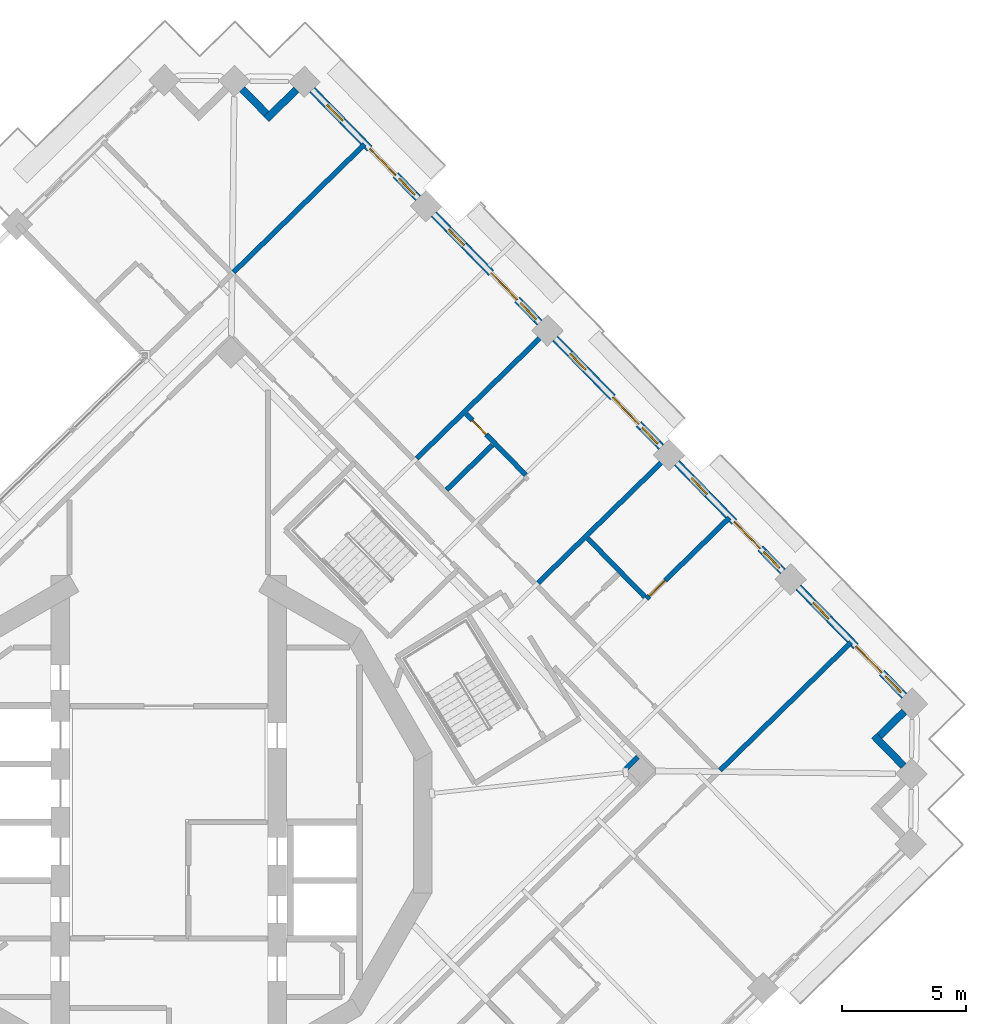
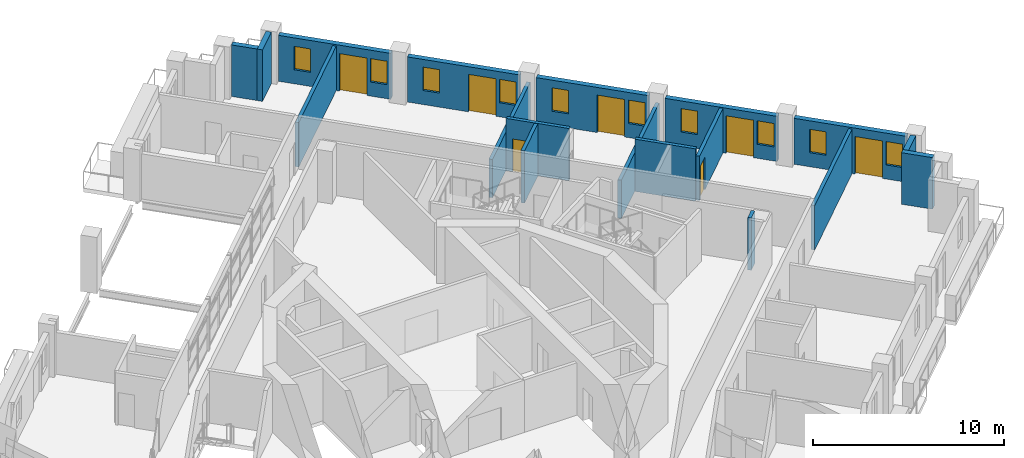
# One storey, part 11 of 19: 18 walls, 10 windows, 7 doors, 17 openings.
"""IFC4 building model written with IfcOpenShell, lengths in metres."""

import ifcopenshell
import ifcopenshell.guid

model = None  # the IFC model being written
_history = None  # IfcOwnerHistory: only IFC2X3 demands one
_inside = {}  # id of a spatial element -> (the spatial element, [elements in it])
_under = {}  # id of a project, library or spatial element -> (it, [spatial elements below it])
_declared = {}  # id of a project -> (the project, [libraries it declares])
_typed = {}  # id of a type object -> (the type object, [elements of that type])
_made_of = {}  # id of a material, layer set ... -> (it, [elements and type objects made of it])


def new_model(schema):
    """Start an empty IFC model of exactly this schema.

    Asked for "IFC4X3", IfcOpenShell would pick the latest addendum, in which some entities
    have other attributes; the version numbers below select the first issue.
    IFC2X3 requires an IfcOwnerHistory on every rooted entity: one is made here for all.
    """
    global model, _history
    if schema == "IFC4X3":
        model = ifcopenshell.file(schema_version=(4, 3, 0, 0))
    else:
        model = ifcopenshell.file(schema=schema)
    _inside.clear()
    _under.clear()
    _declared.clear()
    _typed.clear()
    _made_of.clear()
    _history = None
    if model.schema == "IFC2X3":
        org = make("IfcOrganization", Name="unknown")
        user = make(
            "IfcPersonAndOrganization",
            ThePerson=make("IfcPerson", FamilyName="unknown"),
            TheOrganization=org,
        )
        app = make(
            "IfcApplication",
            ApplicationDeveloper=org,
            Version="unknown",
            ApplicationFullName="unknown",
            ApplicationIdentifier="unknown",
        )
        _history = make(
            "IfcOwnerHistory",
            OwningUser=user,
            OwningApplication=app,
            ChangeAction="ADDED",
            CreationDate=0,
        )
    return model


def make(cls, **values):
    """One entity of the class cls with the attributes given. An attribute that is None is left unset."""
    return model.create_entity(
        cls, **{name: value for name, value in values.items() if value is not None}
    )


def rooted(cls, **values):
    """An entity with a GlobalId (a new one), such as an element, a storey or a relation."""
    return make(cls, GlobalId=ifcopenshell.guid.new(), OwnerHistory=_history, **values)


def si_unit(unit_type, name, prefix=None):
    """IfcSIUnit, for example si_unit("LENGTHUNIT", "METRE", prefix="MILLI")."""
    return make("IfcSIUnit", UnitType=unit_type, Prefix=prefix, Name=name)


def assignment(units):
    """IfcUnitAssignment: the units of a project."""
    return None if units is None else make("IfcUnitAssignment", Units=units)


def point(xyz):
    """IfcCartesianPoint."""
    return None if xyz is None else make("IfcCartesianPoint", Coordinates=xyz)


def direction(xyz):
    """IfcDirection."""
    return None if xyz is None else make("IfcDirection", DirectionRatios=xyz)


def frame(location, z_axis=None, x_axis=None):
    """IfcAxis2Placement3D, a coordinate frame: its origin and axes. An axis left out is left unset."""
    return make(
        "IfcAxis2Placement3D",
        Location=point(location),
        Axis=direction(z_axis),
        RefDirection=direction(x_axis),
    )


def frame_2d(location, x_axis=None):
    """IfcAxis2Placement2D, a coordinate frame in the plane: its origin and x axis."""
    return make(
        "IfcAxis2Placement2D", Location=point(location), RefDirection=direction(x_axis)
    )


def origin():
    """The frame at (0, 0, 0) with its axes left unset."""
    return frame((0.0, 0.0, 0.0))


def place(relative_to, where):
    """IfcLocalPlacement: puts the frame where relative to a parent placement (None: the world)."""
    return make(
        "IfcLocalPlacement", PlacementRelTo=relative_to, RelativePlacement=where
    )


def context(
    kind, dimensions, precision=None, world=None, true_north=None, identifier=None
):
    """IfcGeometricRepresentationContext, for example the 3D "Model" context."""
    return make(
        "IfcGeometricRepresentationContext",
        ContextIdentifier=identifier,
        ContextType=kind,
        CoordinateSpaceDimension=dimensions,
        Precision=precision,
        WorldCoordinateSystem=world,
        TrueNorth=true_north,
    )


def subcontext(parent, identifier, kind, view, scale=None):
    """IfcGeometricRepresentationSubContext, for example "Body" below "Model"."""
    return make(
        "IfcGeometricRepresentationSubContext",
        ContextIdentifier=identifier,
        ContextType=kind,
        ParentContext=parent,
        TargetScale=scale,
        TargetView=view,
    )


def project(units=None, contexts=None):
    """IfcProject with its units and contexts."""
    return rooted(
        "IfcProject",
        Name="project",
        RepresentationContexts=contexts,
        UnitsInContext=assignment(units),
    )


def spatial(cls, under=None, at=None, **own):
    """A site, building, storey or space (cls), placed at a placement, below another one or the project."""
    s = rooted(cls, ObjectPlacement=at, **own)
    if under is not None:
        _under.setdefault(under.id(), (under, []))[1].append(s)
    return s


def profile(cls, at=None, kind="AREA", **sizes):
    """A parametric profile (cls). Its sizes go by their IFC names, for example OverallWidth=200.0."""
    return make(cls, ProfileType=kind, Position=at, **sizes)


def rectangle(**sizes):
    """IfcRectangleProfileDef."""
    return profile("IfcRectangleProfileDef", **sizes)


def extrude(swept, where, along, depth):
    """IfcExtrudedAreaSolid: the profile swept, set in the frame where, extruded along a direction by depth."""
    return make(
        "IfcExtrudedAreaSolid",
        SweptArea=swept,
        Position=where,
        ExtrudedDirection=direction(along),
        Depth=depth,
    )


def shape(context_of_items, identifier, shape_type, items):
    """IfcShapeRepresentation: the items that make up one representation, for example the "Body"."""
    return make(
        "IfcShapeRepresentation",
        ContextOfItems=context_of_items,
        RepresentationIdentifier=identifier,
        RepresentationType=shape_type,
        Items=items,
    )


def material(Name=None, Category=None):
    """IfcMaterial."""
    return make("IfcMaterial", Name=Name, Category=Category)


def layer(
    of_material, thickness, ventilated=None, Name=None, Category=None, Priority=None
):
    """IfcMaterialLayer: one layer of a wall or slab, of a material (None: an air gap)."""
    return make(
        "IfcMaterialLayer",
        Material=of_material,
        LayerThickness=thickness,
        IsVentilated=ventilated,
        Name=Name,
        Category=Category,
        Priority=Priority,
    )


def layer_set(layers, Name=None):
    """IfcMaterialLayerSet."""
    return make("IfcMaterialLayerSet", MaterialLayers=layers, LayerSetName=Name)


def made_of(thing, what):
    """Note that an element or type object is made of a material, layer set ...; save() writes the relation."""
    if what is not None:
        _made_of.setdefault(what.id(), (what, []))[1].append(thing)
    return thing


def type_object(cls, material=None, **own):
    """A type object (cls), such as IfcWallType, which elements share."""
    return made_of(rooted(cls, **own), material)


def element(
    cls,
    number,
    at=None,
    inside=None,
    cuts=None,
    type_object=None,
    material=None,
    context=None,
    identifier="Body",
    shape_type=None,
    held_by="IfcProductDefinitionShape",
    body=None,
    shapes=None,
    **own,
):
    """One element of the class cls, such as IfcWall. Its Tag is "e" and its number.

    at: its placement. inside: the storey or other place that contains it. cuts: it is an
    opening in that element (IfcRelVoidsElement). A single representation is given by context,
    identifier, shape_type and body (its items); several are given by shapes. held_by: the class
    of the entity that holds the representations. save() writes the other relations.
    """
    e = rooted(cls, Tag="e%d" % number, ObjectPlacement=at, **own)
    if body is not None:
        shapes = [shape(context, identifier, shape_type, body)]
    if shapes is not None:
        e.Representation = make(held_by, Representations=shapes)
    if inside is not None:
        _inside.setdefault(inside.id(), (inside, []))[1].append(e)
    if cuts is not None:
        rooted(
            "IfcRelVoidsElement", RelatingBuildingElement=cuts, RelatedOpeningElement=e
        )
    if type_object is not None:
        _typed.setdefault(type_object.id(), (type_object, []))[1].append(e)
    return made_of(e, material)


def fill(opening, filler):
    """IfcRelFillsElement: the door or window that sits in an opening."""
    return rooted(
        "IfcRelFillsElement",
        RelatingOpeningElement=opening,
        RelatedBuildingElement=filler,
    )


def aggregate(whole, parts):
    """IfcRelAggregates: a whole, such as a stair, and the parts it consists of."""
    return rooted("IfcRelAggregates", RelatingObject=whole, RelatedObjects=parts)


def save(model, path):
    """Write the relations noted so far, then the file.

    IfcRelAggregates (storeys below a building ...), IfcRelContainedInSpatialStructure (elements
    in a storey), IfcRelDefinesByType, IfcRelAssociatesMaterial and IfcRelDeclares: one each for
    every whole, place, type object, material and project.
    """
    for whole, parts in _under.values():
        aggregate(whole, parts)
    for where, things in _inside.values():
        rooted(
            "IfcRelContainedInSpatialStructure",
            RelatedElements=things,
            RelatingStructure=where,
        )
    for kind, things in _typed.values():
        rooted("IfcRelDefinesByType", RelatedObjects=things, RelatingType=kind)
    for what, things in _made_of.values():
        rooted("IfcRelAssociatesMaterial", RelatedObjects=things, RelatingMaterial=what)
    for by, libraries in _declared.values():
        rooted("IfcRelDeclares", RelatingContext=by, RelatedDefinitions=libraries)
    model.write(path)


model = new_model("IFC4")

# Units and contexts
model_context = context("Model", 3, precision=1e-05, world=origin(), true_north=direction((0.0, 1.0)))
body_context = subcontext(model_context, "Body", "Model", "MODEL_VIEW")
ifc_project = project(units=[si_unit("LENGTHUNIT", "METRE"), si_unit("AREAUNIT", "SQUARE_METRE"), si_unit("VOLUMEUNIT", "CUBIC_METRE"), si_unit("PLANEANGLEUNIT", "RADIAN"), si_unit("MASSUNIT", "GRAM", prefix="KILO")], contexts=[model_context])

# Site, building, storey
site_placement = place(None, origin())
site = spatial("IfcSite", under=ifc_project, at=site_placement, CompositionType="ELEMENT")
building_placement = place(site_placement, origin())
building = spatial("IfcBuilding", under=site, at=building_placement, Name="Cantera Rosa Tower", CompositionType="ELEMENT")
storey_placement = place(building_placement, frame((0.0, 0.0, 223.39990234375)))
storey = spatial("IfcBuildingStorey", under=building, at=storey_placement, Name="L48", CompositionType="ELEMENT", Elevation=223.39990234375)

# Walls
ifc_material_1 = material(Name="Hollow clay masonry with cantera stone cladding", Category="masonry")
ifc_layer_1 = layer(ifc_material_1, 0.300048828125)
ifc_layer_set_1 = layer_set([ifc_layer_1], Name="EW-LOGGIA 300")
wall_type_1 = type_object("IfcWallType", Name="EW-LOGGIA 300", PredefinedType="SOLIDWALL", material=ifc_layer_set_1)
wall_1_placement = place(storey_placement, frame((5.15283203125, 29.56982421875, 0.0), z_axis=(0.0, 0.0, 1.0), x_axis=(-0.715316077832, -0.69880105094, 0.0)))
element("IfcWall", 1, at=wall_1_placement, inside=storey, type_object=wall_type_1, Name="EN-L48-W05a", PredefinedType="SOLIDWALL", context=body_context, shape_type="SweptSolid", body=[
    extrude(rectangle(XDim=1.699951171875, YDim=0.300048828125, at=frame_2d((0.85009765625, 0.0))), origin(), (0.0, 0.0, 1.0), 3.300048828125),
])
wall_2_placement = place(storey_placement, frame((3.939208984375, 28.593994140625, 0.0), z_axis=(0.0, 0.0, 1.0), x_axis=(-0.698861982187, 0.715256548278, 0.0)))
element("IfcWall", 2, at=wall_2_placement, inside=storey, type_object=wall_type_1, Name="EN-L48-W05b", PredefinedType="SOLIDWALL", context=body_context, shape_type="SweptSolid", body=[
    extrude(rectangle(XDim=1.39990234375, YDim=0.300048828125, at=frame_2d((0.699951171875, 0.0))), origin(), (0.0, 0.0, 1.0), 3.300048828125),
])
wall_3_placement = place(storey_placement, frame((29.65625, 2.271484375, 0.0), z_axis=(0.0, 0.0, 1.0), x_axis=(-0.698872839675, 0.715245939495, 0.0)))
element("IfcWall", 3, at=wall_3_placement, inside=storey, type_object=wall_type_1, Name="EN-L48-W27a", PredefinedType="SOLIDWALL", context=body_context, shape_type="SweptSolid", body=[
    extrude(rectangle(XDim=1.699951171875, YDim=0.300048828125, at=frame_2d((0.85009765625, 0.0))), origin(), (0.0, 0.0, 1.0), 3.300048828125),
])
wall_4_placement = place(storey_placement, frame((28.680419921875, 3.48486328125, 0.0), z_axis=(0.0, 0.0, 1.0), x_axis=(0.71516937164, 0.698951192766, 0.0)))
element("IfcWall", 4, at=wall_4_placement, inside=storey, type_object=wall_type_1, Name="EN-L48-W27b", PredefinedType="SOLIDWALL", context=body_context, shape_type="SweptSolid", body=[
    extrude(rectangle(XDim=1.39990234375, YDim=0.300048828125, at=frame_2d((0.699951171875, 0.0))), origin(), (0.0, 0.0, 1.0), 3.300048828125),
])

# Wall, openings, windows, door
ifc_material_2 = material(Name="Hollow clay masonry with cantera stone cladding", Category="masonry")
ifc_layer_2 = layer(ifc_material_2, 0.300048828125)
ifc_layer_set_2 = layer_set([ifc_layer_2], Name="EW-LOGGIA 300 H2890")
wall_type_2 = type_object("IfcWallType", Name="EW-LOGGIA 300 H2890", PredefinedType="SOLIDWALL", material=ifc_layer_set_2)
wall_5_placement = place(storey_placement, frame((24.783203125, 10.120849609375, 0.0), z_axis=(0.0, 0.0, 1.0), x_axis=(-0.698800768177, 0.715316354067, 0.0)))
wall_5 = element("IfcWall", 5, at=wall_5_placement, inside=storey, type_object=wall_type_2, Name="EN-L48-W01", PredefinedType="SOLIDWALL", context=body_context, shape_type="SweptSolid", body=[
    extrude(rectangle(XDim=6.119873046875, YDim=0.300048828125, at=frame_2d((3.06005859375, 0.0))), origin(), (0.0, 0.0, 1.0), 2.89013671875),
])
opening_1_placement = place(wall_5_placement, frame((0.199951171875, 0.0, 0.89990234375)))
opening_1 = element("IfcOpeningElement", 6, at=opening_1_placement, cuts=wall_5, Name="Opening L48-W01", PredefinedType="OPENING", context=body_context, shape_type="SweptSolid", body=[
    extrude(rectangle(XDim=0.89990234375, YDim=1.5, at=frame_2d((0.449951171875, 0.75))), frame((0.0, 0.159912109375, 0.0), z_axis=(0.0, -1.0, 0.0), x_axis=(1.0, 0.0, 0.0)), (0.0, 0.0, 1.0), 0.320068359375),
])
opening_2_placement = place(wall_5_placement, frame((1.300048828125, 0.0, 0.0)))
opening_2 = element("IfcOpeningElement", 7, at=opening_2_placement, cuts=wall_5, Name="Opening L48-TD02", PredefinedType="OPENING", context=body_context, shape_type="SweptSolid", body=[
    extrude(rectangle(XDim=1.5, YDim=2.39990234375, at=frame_2d((0.75, 1.199951171875))), frame((0.0, 0.159912109375, 0.0), z_axis=(0.0, -1.0, 0.0), x_axis=(1.0, 0.0, 0.0)), (0.0, 0.0, 1.0), 0.320068359375),
])
opening_3_placement = place(wall_5_placement, frame((4.364990234375, 0.0, 0.89990234375)))
opening_3 = element("IfcOpeningElement", 8, at=opening_3_placement, cuts=wall_5, Name="Opening L48-W03", PredefinedType="OPENING", context=body_context, shape_type="SweptSolid", body=[
    extrude(rectangle(XDim=0.89990234375, YDim=1.5, at=frame_2d((0.449951171875, 0.75))), frame((0.0, 0.159912109375, 0.0), z_axis=(0.0, -1.0, 0.0), x_axis=(1.0, 0.0, 0.0)), (0.0, 0.0, 1.0), 0.320068359375),
])
ifc_material_3 = material(Name="Aluminium frame with clear glass", Category="aluminium")
window_type = type_object("IfcWindowType", Name="Residential window 900x1500", PartitioningType="SINGLE_PANEL", PredefinedType="WINDOW", material=ifc_material_3)
window_1_placement = place(opening_1_placement, origin())
window_1 = element("IfcWindow", 9, at=window_1_placement, inside=storey, type_object=window_type, Name="WINDOW L48-W01", OverallHeight=1.5, OverallWidth=0.89990234375, PartitioningType="SINGLE_PANEL", PredefinedType="WINDOW", context=body_context, shape_type="SweptSolid", body=[
    extrude(rectangle(XDim=0.89990234375, YDim=1.5, at=frame_2d((0.449951171875, 0.75))), frame((0.0, 0.030029296875, 0.0), z_axis=(0.0, -1.0, 0.0), x_axis=(1.0, 0.0, 0.0)), (0.0, 0.0, 1.0), 0.06005859375),
])
fill(opening_1, window_1)
window_2_placement = place(opening_3_placement, origin())
window_2 = element("IfcWindow", 10, at=window_2_placement, inside=storey, type_object=window_type, Name="WINDOW L48-W03", OverallHeight=1.5, OverallWidth=0.89990234375, PartitioningType="SINGLE_PANEL", PredefinedType="WINDOW", context=body_context, shape_type="SweptSolid", body=[
    extrude(rectangle(XDim=0.89990234375, YDim=1.5, at=frame_2d((0.449951171875, 0.75))), frame((0.0, 0.030029296875, 0.0), z_axis=(0.0, -1.0, 0.0), x_axis=(1.0, 0.0, 0.0)), (0.0, 0.0, 1.0), 0.06005859375),
])
fill(opening_3, window_2)
ifc_material_4 = material(Name="Aluminium frame with clear glass", Category="aluminium")
door_type_1 = type_object("IfcDoorType", Name="TD-R 1500x2400", OperationType="NOTDEFINED", PredefinedType="DOOR", material=ifc_material_4)
door_1_placement = place(opening_2_placement, origin())
door_1 = element("IfcDoor", 11, at=door_1_placement, inside=storey, type_object=door_type_1, Name="LOGGIA DOOR L48-TD02", OperationType="SLIDING_TO_LEFT", OverallHeight=2.39990234375, OverallWidth=1.5, PredefinedType="DOOR", context=body_context, shape_type="SweptSolid", body=[
    extrude(rectangle(XDim=1.5, YDim=2.39990234375, at=frame_2d((0.75, 1.199951171875))), frame((0.0, 0.02490234375, 0.0), z_axis=(0.0, -1.0, 0.0), x_axis=(1.0, 0.0, 0.0)), (0.0, 0.0, 1.0), 0.050048828125),
])
fill(opening_2, door_1)

wall_6_placement = place(storey_placement, frame((19.87744140625, 15.142333984375, 0.0), z_axis=(0.0, 0.0, 1.0), x_axis=(-0.698841120217, 0.71527693147, 0.0)))
wall_6 = element("IfcWall", 12, at=wall_6_placement, inside=storey, type_object=wall_type_2, Name="EN-L48-W02", PredefinedType="SOLIDWALL", context=body_context, shape_type="SweptSolid", body=[
    extrude(rectangle(XDim=6.119873046875, YDim=0.300048828125, at=frame_2d((3.06005859375, 0.0))), origin(), (0.0, 0.0, 1.0), 2.89013671875),
])
opening_4_placement = place(wall_6_placement, frame((0.199951171875, 0.0, 0.89990234375)))
opening_4 = element("IfcOpeningElement", 13, at=opening_4_placement, cuts=wall_6, Name="Opening L48-W04", PredefinedType="OPENING", context=body_context, shape_type="SweptSolid", body=[
    extrude(rectangle(XDim=0.89990234375, YDim=1.5, at=frame_2d((0.449951171875, 0.75))), frame((0.0, 0.159912109375, 0.0), z_axis=(0.0, -1.0, 0.0), x_axis=(1.0, 0.0, 0.0)), (0.0, 0.0, 1.0), 0.320068359375),
])
opening_5_placement = place(wall_6_placement, frame((1.300048828125, 0.0, 0.0)))
opening_5 = element("IfcOpeningElement", 14, at=opening_5_placement, cuts=wall_6, Name="Opening L48-TD05", PredefinedType="OPENING", context=body_context, shape_type="SweptSolid", body=[
    extrude(rectangle(XDim=1.5, YDim=2.39990234375, at=frame_2d((0.75, 1.199951171875))), frame((0.0, 0.159912109375, 0.0), z_axis=(0.0, -1.0, 0.0), x_axis=(1.0, 0.0, 0.0)), (0.0, 0.0, 1.0), 0.320068359375),
])
opening_6_placement = place(wall_6_placement, frame((4.364990234375, 0.0, 0.89990234375)))
opening_6 = element("IfcOpeningElement", 15, at=opening_6_placement, cuts=wall_6, Name="Opening L48-W06", PredefinedType="OPENING", context=body_context, shape_type="SweptSolid", body=[
    extrude(rectangle(XDim=0.89990234375, YDim=1.5, at=frame_2d((0.449951171875, 0.75))), frame((0.0, 0.159912109375, 0.0), z_axis=(0.0, -1.0, 0.0), x_axis=(1.0, 0.0, 0.0)), (0.0, 0.0, 1.0), 0.320068359375),
])
window_3_placement = place(opening_4_placement, origin())
window_3 = element("IfcWindow", 16, at=window_3_placement, inside=storey, type_object=window_type, Name="WINDOW L48-W04", OverallHeight=1.5, OverallWidth=0.89990234375, PartitioningType="SINGLE_PANEL", PredefinedType="WINDOW", context=body_context, shape_type="SweptSolid", body=[
    extrude(rectangle(XDim=0.89990234375, YDim=1.5, at=frame_2d((0.449951171875, 0.75))), frame((0.0, 0.030029296875, 0.0), z_axis=(0.0, -1.0, 0.0), x_axis=(1.0, 0.0, 0.0)), (0.0, 0.0, 1.0), 0.06005859375),
])
fill(opening_4, window_3)
window_4_placement = place(opening_6_placement, origin())
window_4 = element("IfcWindow", 17, at=window_4_placement, inside=storey, type_object=window_type, Name="WINDOW L48-W06", OverallHeight=1.5, OverallWidth=0.89990234375, PartitioningType="SINGLE_PANEL", PredefinedType="WINDOW", context=body_context, shape_type="SweptSolid", body=[
    extrude(rectangle(XDim=0.89990234375, YDim=1.5, at=frame_2d((0.449951171875, 0.75))), frame((0.0, 0.030029296875, 0.0), z_axis=(0.0, -1.0, 0.0), x_axis=(1.0, 0.0, 0.0)), (0.0, 0.0, 1.0), 0.06005859375),
])
fill(opening_6, window_4)
door_2_placement = place(opening_5_placement, origin())
door_2 = element("IfcDoor", 18, at=door_2_placement, inside=storey, type_object=door_type_1, Name="LOGGIA DOOR L48-TD05", OperationType="SLIDING_TO_LEFT", OverallHeight=2.39990234375, OverallWidth=1.5, PredefinedType="DOOR", context=body_context, shape_type="SweptSolid", body=[
    extrude(rectangle(XDim=1.5, YDim=2.39990234375, at=frame_2d((0.75, 1.199951171875))), frame((0.0, 0.02490234375, 0.0), z_axis=(0.0, -1.0, 0.0), x_axis=(1.0, 0.0, 0.0)), (0.0, 0.0, 1.0), 0.050048828125),
])
fill(opening_5, door_2)

wall_7_placement = place(storey_placement, frame((14.9716796875, 20.16357421875, 0.0), z_axis=(0.0, 0.0, 1.0), x_axis=(-0.698841120217, 0.71527693147, 0.0)))
wall_7 = element("IfcWall", 19, at=wall_7_placement, inside=storey, type_object=wall_type_2, Name="EN-L48-W03", PredefinedType="SOLIDWALL", context=body_context, shape_type="SweptSolid", body=[
    extrude(rectangle(XDim=6.119873046875, YDim=0.300048828125, at=frame_2d((3.06005859375, 0.0))), origin(), (0.0, 0.0, 1.0), 2.89013671875),
])
opening_7_placement = place(wall_7_placement, frame((0.199951171875, 0.0, 0.89990234375)))
opening_7 = element("IfcOpeningElement", 20, at=opening_7_placement, cuts=wall_7, Name="Opening L48-W07", PredefinedType="OPENING", context=body_context, shape_type="SweptSolid", body=[
    extrude(rectangle(XDim=0.89990234375, YDim=1.5, at=frame_2d((0.449951171875, 0.75))), frame((0.0, 0.159912109375, 0.0), z_axis=(0.0, -1.0, 0.0), x_axis=(1.0, 0.0, 0.0)), (0.0, 0.0, 1.0), 0.320068359375),
])
opening_8_placement = place(wall_7_placement, frame((1.300048828125, 0.0, 0.0)))
opening_8 = element("IfcOpeningElement", 21, at=opening_8_placement, cuts=wall_7, Name="Opening L48-TD08", PredefinedType="OPENING", context=body_context, shape_type="SweptSolid", body=[
    extrude(rectangle(XDim=1.5, YDim=2.39990234375, at=frame_2d((0.75, 1.199951171875))), frame((0.0, 0.159912109375, 0.0), z_axis=(0.0, -1.0, 0.0), x_axis=(1.0, 0.0, 0.0)), (0.0, 0.0, 1.0), 0.320068359375),
])
opening_9_placement = place(wall_7_placement, frame((4.364990234375, 0.0, 0.89990234375)))
opening_9 = element("IfcOpeningElement", 22, at=opening_9_placement, cuts=wall_7, Name="Opening L48-W09", PredefinedType="OPENING", context=body_context, shape_type="SweptSolid", body=[
    extrude(rectangle(XDim=0.89990234375, YDim=1.5, at=frame_2d((0.449951171875, 0.75))), frame((0.0, 0.159912109375, 0.0), z_axis=(0.0, -1.0, 0.0), x_axis=(1.0, 0.0, 0.0)), (0.0, 0.0, 1.0), 0.320068359375),
])
window_5_placement = place(opening_7_placement, origin())
window_5 = element("IfcWindow", 23, at=window_5_placement, inside=storey, type_object=window_type, Name="WINDOW L48-W07", OverallHeight=1.5, OverallWidth=0.89990234375, PartitioningType="SINGLE_PANEL", PredefinedType="WINDOW", context=body_context, shape_type="SweptSolid", body=[
    extrude(rectangle(XDim=0.89990234375, YDim=1.5, at=frame_2d((0.449951171875, 0.75))), frame((0.0, 0.030029296875, 0.0), z_axis=(0.0, -1.0, 0.0), x_axis=(1.0, 0.0, 0.0)), (0.0, 0.0, 1.0), 0.06005859375),
])
fill(opening_7, window_5)
window_6_placement = place(opening_9_placement, origin())
window_6 = element("IfcWindow", 24, at=window_6_placement, inside=storey, type_object=window_type, Name="WINDOW L48-W09", OverallHeight=1.5, OverallWidth=0.89990234375, PartitioningType="SINGLE_PANEL", PredefinedType="WINDOW", context=body_context, shape_type="SweptSolid", body=[
    extrude(rectangle(XDim=0.89990234375, YDim=1.5, at=frame_2d((0.449951171875, 0.75))), frame((0.0, 0.030029296875, 0.0), z_axis=(0.0, -1.0, 0.0), x_axis=(1.0, 0.0, 0.0)), (0.0, 0.0, 1.0), 0.06005859375),
])
fill(opening_9, window_6)
door_3_placement = place(opening_8_placement, origin())
door_3 = element("IfcDoor", 25, at=door_3_placement, inside=storey, type_object=door_type_1, Name="LOGGIA DOOR L48-TD08", OperationType="SLIDING_TO_LEFT", OverallHeight=2.39990234375, OverallWidth=1.5, PredefinedType="DOOR", context=body_context, shape_type="SweptSolid", body=[
    extrude(rectangle(XDim=1.5, YDim=2.39990234375, at=frame_2d((0.75, 1.199951171875))), frame((0.0, 0.02490234375, 0.0), z_axis=(0.0, -1.0, 0.0), x_axis=(1.0, 0.0, 0.0)), (0.0, 0.0, 1.0), 0.050048828125),
])
fill(opening_8, door_3)

ifc_material_5 = material(Name="Hollow clay masonry with cantera stone cladding", Category="masonry")
ifc_layer_3 = layer(ifc_material_5, 0.300048828125)
ifc_layer_set_3 = layer_set([ifc_layer_3], Name="EW-LOGGIA 300 H2940")
wall_type_3 = type_object("IfcWallType", Name="EW-LOGGIA 300 H2940", PredefinedType="SOLIDWALL", material=ifc_layer_set_3)
wall_8_placement = place(storey_placement, frame((10.06591796875, 25.184814453125, 0.0), z_axis=(0.0, 0.0, 1.0), x_axis=(-0.69882117953, 0.715296413412, 0.0)))
wall_8 = element("IfcWall", 26, at=wall_8_placement, inside=storey, type_object=wall_type_3, Name="EN-L48-W04", PredefinedType="SOLIDWALL", context=body_context, shape_type="SweptSolid", body=[
    extrude(rectangle(XDim=6.1201171875, YDim=0.300048828125, at=frame_2d((3.06005859375, 0.0))), origin(), (0.0, 0.0, 1.0), 2.940185546875),
])
opening_10_placement = place(wall_8_placement, frame((0.199951171875, 0.0, 0.89990234375)))
opening_10 = element("IfcOpeningElement", 27, at=opening_10_placement, cuts=wall_8, Name="Opening L48-W10", PredefinedType="OPENING", context=body_context, shape_type="SweptSolid", body=[
    extrude(rectangle(XDim=0.89990234375, YDim=1.5, at=frame_2d((0.449951171875, 0.75))), frame((0.0, 0.159912109375, 0.0), z_axis=(0.0, -1.0, 0.0), x_axis=(1.0, 0.0, 0.0)), (0.0, 0.0, 1.0), 0.320068359375),
])
opening_11_placement = place(wall_8_placement, frame((1.300048828125, 0.0, 0.0)))
opening_11 = element("IfcOpeningElement", 28, at=opening_11_placement, cuts=wall_8, Name="Opening L48-TD11", PredefinedType="OPENING", context=body_context, shape_type="SweptSolid", body=[
    extrude(rectangle(XDim=1.5, YDim=2.39990234375, at=frame_2d((0.75, 1.199951171875))), frame((0.0, 0.159912109375, 0.0), z_axis=(0.0, -1.0, 0.0), x_axis=(1.0, 0.0, 0.0)), (0.0, 0.0, 1.0), 0.320068359375),
])
opening_12_placement = place(wall_8_placement, frame((4.364990234375, 0.0, 0.89990234375)))
opening_12 = element("IfcOpeningElement", 29, at=opening_12_placement, cuts=wall_8, Name="Opening L48-W12", PredefinedType="OPENING", context=body_context, shape_type="SweptSolid", body=[
    extrude(rectangle(XDim=0.89990234375, YDim=1.5, at=frame_2d((0.449951171875, 0.75))), frame((0.0, 0.159912109375, 0.0), z_axis=(0.0, -1.0, 0.0), x_axis=(1.0, 0.0, 0.0)), (0.0, 0.0, 1.0), 0.320068359375),
])
window_7_placement = place(opening_10_placement, origin())
window_7 = element("IfcWindow", 30, at=window_7_placement, inside=storey, type_object=window_type, Name="WINDOW L48-W10", OverallHeight=1.5, OverallWidth=0.89990234375, PartitioningType="SINGLE_PANEL", PredefinedType="WINDOW", context=body_context, shape_type="SweptSolid", body=[
    extrude(rectangle(XDim=0.89990234375, YDim=1.5, at=frame_2d((0.449951171875, 0.75))), frame((0.0, 0.030029296875, 0.0), z_axis=(0.0, -1.0, 0.0), x_axis=(1.0, 0.0, 0.0)), (0.0, 0.0, 1.0), 0.06005859375),
])
fill(opening_10, window_7)
window_8_placement = place(opening_12_placement, origin())
window_8 = element("IfcWindow", 31, at=window_8_placement, inside=storey, type_object=window_type, Name="WINDOW L48-W12", OverallHeight=1.5, OverallWidth=0.89990234375, PartitioningType="SINGLE_PANEL", PredefinedType="WINDOW", context=body_context, shape_type="SweptSolid", body=[
    extrude(rectangle(XDim=0.89990234375, YDim=1.5, at=frame_2d((0.449951171875, 0.75))), frame((0.0, 0.030029296875, 0.0), z_axis=(0.0, -1.0, 0.0), x_axis=(1.0, 0.0, 0.0)), (0.0, 0.0, 1.0), 0.06005859375),
])
fill(opening_12, window_8)
door_4_placement = place(opening_11_placement, origin())
door_4 = element("IfcDoor", 32, at=door_4_placement, inside=storey, type_object=door_type_1, Name="LOGGIA DOOR L48-TD11", OperationType="SLIDING_TO_LEFT", OverallHeight=2.39990234375, OverallWidth=1.5, PredefinedType="DOOR", context=body_context, shape_type="SweptSolid", body=[
    extrude(rectangle(XDim=1.5, YDim=2.39990234375, at=frame_2d((0.75, 1.199951171875))), frame((0.0, 0.02490234375, 0.0), z_axis=(0.0, -1.0, 0.0), x_axis=(1.0, 0.0, 0.0)), (0.0, 0.0, 1.0), 0.050048828125),
])
fill(opening_11, door_4)

wall_9_placement = place(storey_placement, frame((29.689208984375, 5.099609375, 0.0), z_axis=(0.0, 0.0, 1.0), x_axis=(-0.69882117953, 0.715296413412, 0.0)))
wall_9 = element("IfcWall", 33, at=wall_9_placement, inside=storey, type_object=wall_type_3, Name="EN-L48-W28", PredefinedType="SOLIDWALL", context=body_context, shape_type="SweptSolid", body=[
    extrude(rectangle(XDim=6.1201171875, YDim=0.300048828125, at=frame_2d((3.06005859375, 0.0))), origin(), (0.0, 0.0, 1.0), 2.940185546875),
])
opening_13_placement = place(wall_9_placement, frame((0.199951171875, 0.0, 0.89990234375)))
opening_13 = element("IfcOpeningElement", 34, at=opening_13_placement, cuts=wall_9, Name="Opening L48-W52", PredefinedType="OPENING", context=body_context, shape_type="SweptSolid", body=[
    extrude(rectangle(XDim=0.89990234375, YDim=1.5, at=frame_2d((0.449951171875, 0.75))), frame((0.0, 0.159912109375, 0.0), z_axis=(0.0, -1.0, 0.0), x_axis=(1.0, 0.0, 0.0)), (0.0, 0.0, 1.0), 0.320068359375),
])
opening_14_placement = place(wall_9_placement, frame((1.300048828125, 0.0, 0.0)))
opening_14 = element("IfcOpeningElement", 35, at=opening_14_placement, cuts=wall_9, Name="Opening L48-TD53", PredefinedType="OPENING", context=body_context, shape_type="SweptSolid", body=[
    extrude(rectangle(XDim=1.5, YDim=2.39990234375, at=frame_2d((0.75, 1.199951171875))), frame((0.0, 0.159912109375, 0.0), z_axis=(0.0, -1.0, 0.0), x_axis=(1.0, 0.0, 0.0)), (0.0, 0.0, 1.0), 0.320068359375),
])
opening_15_placement = place(wall_9_placement, frame((4.364990234375, 0.0, 0.89990234375)))
opening_15 = element("IfcOpeningElement", 36, at=opening_15_placement, cuts=wall_9, Name="Opening L48-W54", PredefinedType="OPENING", context=body_context, shape_type="SweptSolid", body=[
    extrude(rectangle(XDim=0.89990234375, YDim=1.5, at=frame_2d((0.449951171875, 0.75))), frame((0.0, 0.159912109375, 0.0), z_axis=(0.0, -1.0, 0.0), x_axis=(1.0, 0.0, 0.0)), (0.0, 0.0, 1.0), 0.320068359375),
])
window_9_placement = place(opening_13_placement, origin())
window_9 = element("IfcWindow", 37, at=window_9_placement, inside=storey, type_object=window_type, Name="WINDOW L48-W52", OverallHeight=1.5, OverallWidth=0.89990234375, PartitioningType="SINGLE_PANEL", PredefinedType="WINDOW", context=body_context, shape_type="SweptSolid", body=[
    extrude(rectangle(XDim=0.89990234375, YDim=1.5, at=frame_2d((0.449951171875, 0.75))), frame((0.0, 0.030029296875, 0.0), z_axis=(0.0, -1.0, 0.0), x_axis=(1.0, 0.0, 0.0)), (0.0, 0.0, 1.0), 0.06005859375),
])
fill(opening_13, window_9)
window_10_placement = place(opening_15_placement, origin())
window_10 = element("IfcWindow", 38, at=window_10_placement, inside=storey, type_object=window_type, Name="WINDOW L48-W54", OverallHeight=1.5, OverallWidth=0.89990234375, PartitioningType="SINGLE_PANEL", PredefinedType="WINDOW", context=body_context, shape_type="SweptSolid", body=[
    extrude(rectangle(XDim=0.89990234375, YDim=1.5, at=frame_2d((0.449951171875, 0.75))), frame((0.0, 0.030029296875, 0.0), z_axis=(0.0, -1.0, 0.0), x_axis=(1.0, 0.0, 0.0)), (0.0, 0.0, 1.0), 0.06005859375),
])
fill(opening_15, window_10)
door_5_placement = place(opening_14_placement, origin())
door_5 = element("IfcDoor", 39, at=door_5_placement, inside=storey, type_object=door_type_1, Name="LOGGIA DOOR L48-TD53", OperationType="SLIDING_TO_LEFT", OverallHeight=2.39990234375, OverallWidth=1.5, PredefinedType="DOOR", context=body_context, shape_type="SweptSolid", body=[
    extrude(rectangle(XDim=1.5, YDim=2.39990234375, at=frame_2d((0.75, 1.199951171875))), frame((0.0, 0.02490234375, 0.0), z_axis=(0.0, -1.0, 0.0), x_axis=(1.0, 0.0, 0.0)), (0.0, 0.0, 1.0), 0.050048828125),
])
fill(opening_14, door_5)

# Wall, opening, door
ifc_material_6 = material(Name="Gypsum board partition")
ifc_layer_4 = layer(ifc_material_6, 0.199951171875)
ifc_layer_set_4 = layer_set([ifc_layer_4], Name="PARTITION 200 H2850")
wall_type_4 = type_object("IfcWallType", Name="PARTITION 200 H2850", PredefinedType="PARTITIONING", material=ifc_layer_set_4)
wall_10_placement = place(storey_placement, frame((22.623291015625, 12.288818359375, 0.0), z_axis=(0.0, 0.0, 1.0), x_axis=(-0.715241248144, -0.698877640903, 0.0)))
wall_10 = element("IfcWall", 40, at=wall_10_placement, inside=storey, type_object=wall_type_4, Name="PARTITION L48-127", PredefinedType="PARTITIONING", context=body_context, shape_type="SweptSolid", body=[
    extrude(rectangle(XDim=4.669921875, YDim=0.199951171875, at=frame_2d((2.3349609375, 0.0))), origin(), (0.0, 0.0, 1.0), 2.85009765625),
])
opening_16_placement = place(wall_10_placement, frame((3.6201171875, 0.0, 0.0)))
opening_16 = element("IfcOpeningElement", 41, at=opening_16_placement, cuts=wall_10, Name="Opening L48-025", PredefinedType="OPENING", context=body_context, shape_type="SweptSolid", body=[
    extrude(rectangle(XDim=0.89990234375, YDim=2.10009765625, at=frame_2d((0.449951171875, 1.050048828125))), frame((0.0, 0.10986328125, 0.0), z_axis=(0.0, -1.0, 0.0), x_axis=(1.0, 0.0, 0.0)), (0.0, 0.0, 1.0), 0.219970703125),
])
ifc_material_7 = material(Name="Timber door leaf", Category="wood")
door_type_2 = type_object("IfcDoorType", Name="ROOM DOOR 900x2100", OperationType="NOTDEFINED", PredefinedType="DOOR", material=ifc_material_7)
door_6_placement = place(opening_16_placement, origin())
door_6 = element("IfcDoor", 42, at=door_6_placement, inside=storey, type_object=door_type_2, Name="DOOR L48-025", OperationType="NOTDEFINED", OverallHeight=2.10009765625, OverallWidth=0.89990234375, PredefinedType="DOOR", context=body_context, shape_type="SweptSolid", body=[
    extrude(rectangle(XDim=0.89990234375, YDim=2.10009765625, at=frame_2d((0.449951171875, 1.050048828125))), frame((0.0, 0.02490234375, 0.0), z_axis=(0.0, -1.0, 0.0), x_axis=(1.0, 0.0, 0.0)), (0.0, 0.0, 1.0), 0.050048828125),
])
fill(opening_16, door_6)

ifc_material_8 = material(Name="Gypsum board partition")
ifc_layer_5 = layer(ifc_material_8, 0.199951171875)
ifc_layer_set_5 = layer_set([ifc_layer_5], Name="PARTITION 200 H3350")
wall_type_5 = type_object("IfcWallType", Name="PARTITION 200 H3350", PredefinedType="PARTITIONING", material=ifc_layer_set_5)
wall_11_placement = place(storey_placement, frame((12.00830078125, 16.47119140625, 0.0), z_axis=(0.0, 0.0, 1.0), x_axis=(0.698837785219, -0.715280189821, 0.0)))
wall_11 = element("IfcWall", 43, at=wall_11_placement, inside=storey, type_object=wall_type_5, Name="PARTITION L48-103", PredefinedType="PARTITIONING", context=body_context, shape_type="SweptSolid", body=[
    extrude(rectangle(XDim=3.429931640625, YDim=0.199951171875, at=frame_2d((1.71484375, 0.0))), origin(), (0.0, 0.0, 1.0), 3.35009765625),
])
opening_17_placement = place(wall_11_placement, frame((0.35498046875, 0.0, 0.0)))
opening_17 = element("IfcOpeningElement", 44, at=opening_17_placement, cuts=wall_11, Name="Opening L48-028", PredefinedType="OPENING", context=body_context, shape_type="SweptSolid", body=[
    extrude(rectangle(XDim=0.800048828125, YDim=2.10009765625, at=frame_2d((0.39990234375, 1.050048828125))), frame((0.0, 0.10986328125, 0.0), z_axis=(0.0, -1.0, 0.0), x_axis=(1.0, 0.0, 0.0)), (0.0, 0.0, 1.0), 0.219970703125),
])
ifc_material_9 = material(Name="Timber door leaf", Category="wood")
door_type_3 = type_object("IfcDoorType", Name="BATHROOM DOOR 800x2100", OperationType="NOTDEFINED", PredefinedType="DOOR", material=ifc_material_9)
door_7_placement = place(opening_17_placement, origin())
door_7 = element("IfcDoor", 45, at=door_7_placement, inside=storey, type_object=door_type_3, Name="DOOR L48-028", OperationType="NOTDEFINED", OverallHeight=2.10009765625, OverallWidth=0.800048828125, PredefinedType="DOOR", context=body_context, shape_type="SweptSolid", body=[
    extrude(rectangle(XDim=0.800048828125, YDim=2.10009765625, at=frame_2d((0.39990234375, 1.050048828125))), frame((0.0, 0.02490234375, 0.0), z_axis=(0.0, -1.0, 0.0), x_axis=(1.0, 0.0, 0.0)), (0.0, 0.0, 1.0), 0.050048828125),
])
fill(opening_17, door_7)

# Walls
wall_12_placement = place(storey_placement, frame((13.0615234375, 15.2216796875, 0.0), z_axis=(0.0, 0.0, 1.0), x_axis=(-0.715291472517, -0.698826236875, 0.0)))
element("IfcWall", 46, at=wall_12_placement, inside=storey, type_object=wall_type_5, Name="PARTITION L48-111", PredefinedType="PARTITIONING", context=body_context, shape_type="SweptSolid", body=[
    extrude(rectangle(XDim=2.580078125, YDim=0.199951171875, at=frame_2d((1.2900390625, 0.0))), origin(), (0.0, 0.0, 1.0), 3.35009765625),
])
wall_13_placement = place(storey_placement, frame((16.9140625, 11.449951171875, 0.0), z_axis=(0.0, 0.0, 1.0), x_axis=(0.698821655965, -0.71529594795, 0.0)))
element("IfcWall", 47, at=wall_13_placement, inside=storey, type_object=wall_type_5, Name="PARTITION L48-119", PredefinedType="PARTITIONING", context=body_context, shape_type="SweptSolid", body=[
    extrude(rectangle(XDim=3.2900390625, YDim=0.199951171875, at=frame_2d((1.64501953125, 0.0))), origin(), (0.0, 0.0, 1.0), 3.35009765625),
])
wall_14_placement = place(storey_placement, frame((18.932861328125, 2.62939453125, 0.0), z_axis=(0.0, 0.0, 1.0), x_axis=(-0.715493021556, -0.698619879552, 0.0)))
element("IfcWall", 48, at=wall_14_placement, inside=storey, type_object=wall_type_5, Name="PARTITION L48-124", PredefinedType="PARTITIONING", context=body_context, shape_type="SweptSolid", body=[
    extrude(rectangle(XDim=0.679931640625, YDim=0.199951171875, at=frame_2d((0.33984375, 0.0))), origin(), (0.0, 0.0, 1.0), 3.35009765625),
])
ifc_material_10 = material(Name="Gypsum board partition")
ifc_layer_6 = layer(ifc_material_10, 0.199951171875)
ifc_layer_set_6 = layer_set([ifc_layer_6], Name="PARTY WALL 200 H2450")
wall_type_6 = type_object("IfcWallType", Name="PARTY WALL 200 H2450", PredefinedType="PARTITIONING", material=ifc_layer_set_6)
wall_15_placement = place(storey_placement, frame((10.00732421875, 14.684326171875, 0.0), z_axis=(0.0, 0.0, 1.0), x_axis=(0.715280026246, 0.698837952642, 0.0)))
element("IfcWall", 49, at=wall_15_placement, inside=storey, type_object=wall_type_6, Name="PARTY WALL L48-098", PredefinedType="PARTITIONING", context=body_context, shape_type="SweptSolid", body=[
    extrude(rectangle(XDim=7.35009765625, YDim=0.199951171875, at=frame_2d((3.675048828125, 0.0))), origin(), (0.0, 0.0, 1.0), 2.4501953125),
])
wall_16_placement = place(storey_placement, frame((14.9130859375, 9.6630859375, 0.0), z_axis=(0.0, 0.0, 1.0), x_axis=(0.715296630095, 0.698820957739, 0.0)))
element("IfcWall", 50, at=wall_16_placement, inside=storey, type_object=wall_type_6, Name="PARTY WALL L48-114", PredefinedType="PARTITIONING", context=body_context, shape_type="SweptSolid", body=[
    extrude(rectangle(XDim=7.349853515625, YDim=0.199951171875, at=frame_2d((3.6748046875, 0.0))), origin(), (0.0, 0.0, 1.0), 2.4501953125),
])
ifc_material_11 = material(Name="Gypsum board partition")
ifc_layer_7 = layer(ifc_material_11, 0.199951171875)
ifc_layer_set_7 = layer_set([ifc_layer_7], Name="PARTY WALL 200 H2850")
wall_type_7 = type_object("IfcWallType", Name="PARTY WALL 200 H2850", PredefinedType="PARTITIONING", material=ifc_layer_set_7)
wall_17_placement = place(storey_placement, frame((2.613037109375, 22.195556640625, 0.0), z_axis=(0.0, 0.0, 1.0), x_axis=(0.715301288011, 0.698816189974, 0.0)))
element("IfcWall", 51, at=wall_17_placement, inside=storey, type_object=wall_type_7, Name="PARTY WALL L48-076", PredefinedType="PARTITIONING", context=body_context, shape_type="SweptSolid", body=[
    extrude(rectangle(XDim=7.39013671875, YDim=0.199951171875, at=frame_2d((3.695068359375, 0.0))), origin(), (0.0, 0.0, 1.0), 2.85009765625),
])
wall_18_placement = place(storey_placement, frame((27.5361328125, 7.26025390625, 0.0), z_axis=(0.0, 0.0, 1.0), x_axis=(-0.715285154374, -0.698832703823, 0.0)))
element("IfcWall", 52, at=wall_18_placement, inside=storey, type_object=wall_type_7, Name="PARTY WALL L48-128", PredefinedType="PARTITIONING", context=body_context, shape_type="SweptSolid", body=[
    extrude(rectangle(XDim=7.389892578125, YDim=0.199951171875, at=frame_2d((3.69482421875, 0.0))), origin(), (0.0, 0.0, 1.0), 2.85009765625),
])

save(model, "model.ifc")
